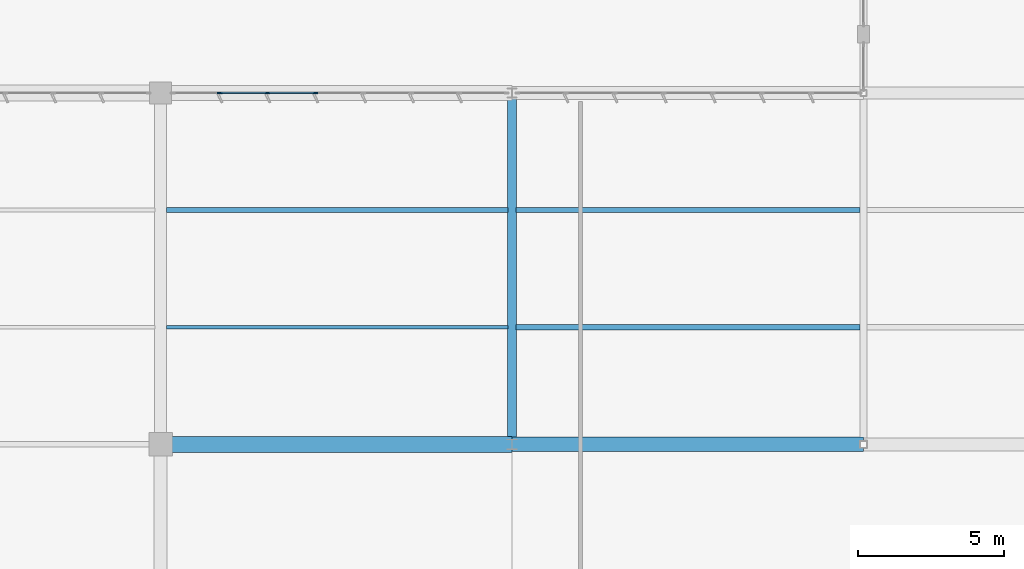
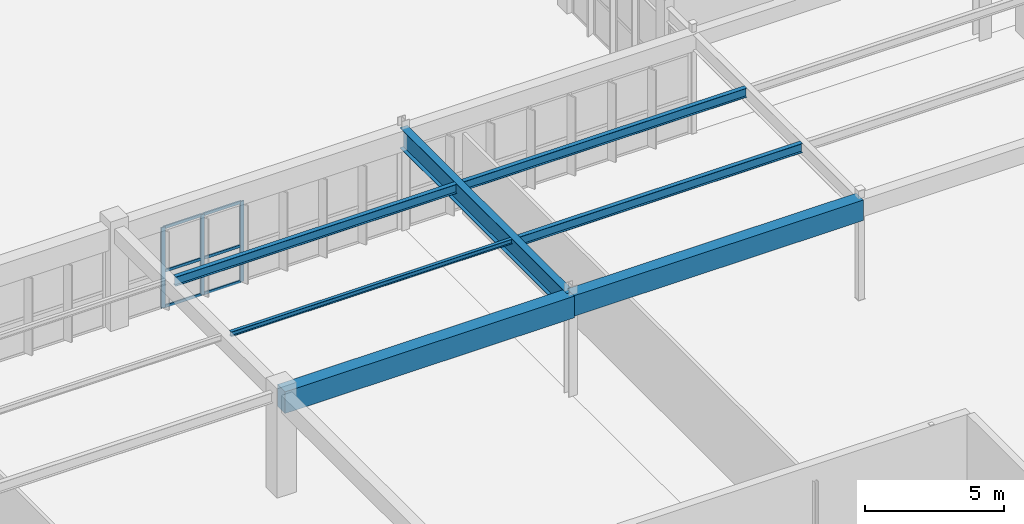
# One storey, part 77 of 199: 9 members, 7 beams, 1 element without a shape of its own.
"""IFC4 building model written with IfcOpenShell, lengths in metres."""

from ifc_helpers import new_model, si_unit, direction, frame, origin, origin_2d, place, context, subcontext, project, spatial, rectangle, i_section, extrude, material, layer, layer_set, material_profile, profile_set, type_object, element, aggregate, save


model = new_model("IFC4")

# Units and contexts
model_context = context("Model", 3, precision=1e-05, world=origin(), true_north=direction((0.0, 1.0)))
body_context = subcontext(model_context, "Body", "Model", "MODEL_VIEW")
ifc_project = project(units=[si_unit("LENGTHUNIT", "METRE"), si_unit("AREAUNIT", "SQUARE_METRE"), si_unit("VOLUMEUNIT", "CUBIC_METRE"), si_unit("PLANEANGLEUNIT", "RADIAN"), si_unit("MASSUNIT", "GRAM", prefix="KILO")], contexts=[model_context])

# Site, building, storey
site_placement = place(None, origin())
site = spatial("IfcSite", under=ifc_project, at=site_placement, CompositionType="ELEMENT")
building_placement = place(site_placement, origin())
building = spatial("IfcBuilding", under=site, at=building_placement, Name="Tarnwether General Hospital", CompositionType="ELEMENT")
storey_placement = place(building_placement, origin())
storey = spatial("IfcBuildingStorey", under=building, at=storey_placement, Name="L00", CompositionType="ELEMENT", Elevation=0.0)

# Beams
ifc_material_1 = material(Name="Steel Grade 350 (350 MPa)", Category="steel")
ifc_material_profile_1 = material_profile(ifc_material_1, i_section(OverallWidth=0.300048828125, OverallDepth=0.89990234375, WebThickness=0.011962890625, FlangeThickness=0.02001953125, at=origin_2d()), Name="900WB175")
ifc_profile_set_1 = profile_set([ifc_material_profile_1], Name="Steel Grade 350 (350 MPa)")
beam_type_1 = type_object("IfcBeamType", Name="BM-G01", PredefinedType="BEAM", material=ifc_profile_set_1)
beam_1_placement = place(storey_placement, frame((96.0, 33.60009765625, 3.9951171875), z_axis=(0.0, 1.0, 0.0), x_axis=(-1.0, 0.0, 0.0)))
element("IfcBeam", 1, at=beam_1_placement, inside=storey, type_object=beam_type_1, Name="Primary Girder BMG-L00-9600_3360-9600_4560-0737", PredefinedType="BEAM", context=body_context, shape_type="SweptSolid", body=[
    extrude(i_section(OverallWidth=0.300048828125, OverallDepth=0.89990234375, WebThickness=0.011962890625, FlangeThickness=0.02001953125, at=origin_2d()), origin(), (0.0, 0.0, 1.0), 12.0),
])
ifc_material_2 = material(Name="Concrete 40 MPa", Category="concrete")
ifc_material_profile_2 = material_profile(ifc_material_2, rectangle(XDim=0.550048828125, YDim=0.949951171875, at=origin_2d()), Name="RC-BM-550x950")
ifc_profile_set_2 = profile_set([ifc_material_profile_2], Name="Concrete 40 MPa")
beam_type_2 = type_object("IfcBeamType", Name="BM-G11", PredefinedType="BEAM", material=ifc_profile_set_2)
beam_2_placement = place(storey_placement, frame((84.0, 33.60009765625, 3.969970703125), z_axis=(1.0, 0.0, 0.0), x_axis=(0.0, 1.0, 0.0)))
element("IfcBeam", 2, at=beam_2_placement, inside=storey, type_object=beam_type_2, Name="Primary Girder BMG-L00-8400_3360-9600_3360-0722", PredefinedType="BEAM", context=body_context, shape_type="SweptSolid", body=[
    extrude(rectangle(XDim=0.550048828125, YDim=0.949951171875, at=origin_2d()), origin(), (0.0, 0.0, 1.0), 12.0),
])
ifc_material_3 = material(Name="Concrete 40 MPa", Category="concrete")
ifc_material_profile_3 = material_profile(ifc_material_3, rectangle(XDim=0.5, YDim=0.89990234375, at=origin_2d()), Name="RC-BM-500x900")
ifc_profile_set_3 = profile_set([ifc_material_profile_3], Name="Concrete 40 MPa")
beam_type_3 = type_object("IfcBeamType", Name="BM-G12", PredefinedType="BEAM", material=ifc_profile_set_3)
beam_3_placement = place(storey_placement, frame((96.0, 33.60009765625, 3.9951171875), z_axis=(1.0, 0.0, 0.0), x_axis=(0.0, 1.0, 0.0)))
element("IfcBeam", 3, at=beam_3_placement, inside=storey, type_object=beam_type_3, Name="Primary Girder BMG-L00-9600_3360-10800_3360-0736", PredefinedType="BEAM", context=body_context, shape_type="SweptSolid", body=[
    extrude(rectangle(XDim=0.5, YDim=0.89990234375, at=origin_2d()), origin(), (0.0, 0.0, 1.0), 12.0),
])
ifc_material_4 = material(Name="Steel Grade 350 (350 MPa)", Category="steel")
ifc_material_profile_4 = material_profile(ifc_material_4, i_section(OverallWidth=0.177978515625, OverallDepth=0.406005859375, WebThickness=0.0078125, FlangeThickness=0.0126953125, at=origin_2d()), Name="410UB59.7")
ifc_profile_set_4 = profile_set([ifc_material_profile_4], Name="Steel Grade 350 (350 MPa)")
beam_type_4 = type_object("IfcBeamType", Name="BM-J01", PredefinedType="JOIST", material=ifc_profile_set_4)
beam_4_placement = place(storey_placement, frame((84.194091796875, 41.60009765625, 4.241943359375), z_axis=(1.0, 0.0, 0.0), x_axis=(0.0, 1.0, 0.0)))
element("IfcBeam", 4, at=beam_4_placement, inside=storey, type_object=beam_type_4, Name="Composite Floor Joist BMG-L00-8419_4160-9586_4160-0976", PredefinedType="JOIST", context=body_context, shape_type="SweptSolid", body=[
    extrude(i_section(OverallWidth=0.177978515625, OverallDepth=0.406005859375, WebThickness=0.0078125, FlangeThickness=0.0126953125, at=origin_2d()), origin(), (0.0, 0.0, 1.0), 11.661865234375),
])
beam_5_placement = place(storey_placement, frame((96.14404296875, 37.60009765625, 4.241943359375), z_axis=(1.0, 0.0, 0.0), x_axis=(0.0, 1.0, 0.0)))
element("IfcBeam", 5, at=beam_5_placement, inside=storey, type_object=beam_type_4, Name="Composite Floor Joist BMG-L00-9614_3760-10788_3760-0983", PredefinedType="JOIST", context=body_context, shape_type="SweptSolid", body=[
    extrude(i_section(OverallWidth=0.177978515625, OverallDepth=0.406005859375, WebThickness=0.0078125, FlangeThickness=0.0126953125, at=origin_2d()), origin(), (0.0, 0.0, 1.0), 11.737060546875),
])
ifc_material_5 = material(Name="Steel Grade 350 (350 MPa)", Category="steel")
ifc_material_profile_5 = material_profile(ifc_material_5, i_section(OverallWidth=0.177978515625, OverallDepth=0.403076171875, WebThickness=0.007568359375, FlangeThickness=0.010986328125, at=origin_2d()), Name="410UB53.7")
ifc_profile_set_5 = profile_set([ifc_material_profile_5], Name="Steel Grade 350 (350 MPa)")
beam_type_5 = type_object("IfcBeamType", Name="BM-J02", PredefinedType="JOIST", material=ifc_profile_set_5)
beam_6_placement = place(storey_placement, frame((96.14404296875, 41.60009765625, 4.243408203125), z_axis=(1.0, 0.0, 0.0), x_axis=(0.0, 1.0, 0.0)))
element("IfcBeam", 6, at=beam_6_placement, inside=storey, type_object=beam_type_5, Name="Composite Floor Joist BMG-L00-9614_4160-10788_4160-0984", PredefinedType="JOIST", context=body_context, shape_type="SweptSolid", body=[
    extrude(i_section(OverallWidth=0.177978515625, OverallDepth=0.403076171875, WebThickness=0.007568359375, FlangeThickness=0.010986328125, at=origin_2d()), origin(), (0.0, 0.0, 1.0), 11.737060546875),
])
ifc_material_6 = material(Name="Steel Grade 350 (350 MPa)", Category="steel")
ifc_material_profile_6 = material_profile(ifc_material_6, i_section(OverallWidth=0.134033203125, OverallDepth=0.20703125, WebThickness=0.00634765625, FlangeThickness=0.009521484375, at=origin_2d()), Name="200UB29.8")
ifc_profile_set_6 = profile_set([ifc_material_profile_6], Name="Steel Grade 350 (350 MPa)")
beam_type_6 = type_object("IfcBeamType", Name="BM-J12", PredefinedType="JOIST", material=ifc_profile_set_6)
beam_7_placement = place(storey_placement, frame((84.194091796875, 37.60009765625, 4.341552734375), z_axis=(1.0, 0.0, 0.0), x_axis=(0.0, 1.0, 0.0)))
element("IfcBeam", 7, at=beam_7_placement, inside=storey, type_object=beam_type_6, Name="Composite Floor Joist BMG-L00-8419_3760-9586_3760-0975", PredefinedType="JOIST", context=body_context, shape_type="SweptSolid", body=[
    extrude(i_section(OverallWidth=0.134033203125, OverallDepth=0.20703125, WebThickness=0.00634765625, FlangeThickness=0.009521484375, at=origin_2d()), origin(), (0.0, 0.0, 1.0), 11.661865234375),
])

# Curtain wall, members
ifc_material_7 = material(Name="Anodised aluminium", Category="aluminium")
ifc_layer = layer(ifc_material_7, 0.159912109375)
ifc_layer_set = layer_set([ifc_layer], Name="Anodised aluminium")
curtain_wall_type = type_object("IfcCurtainWallType", Name="CW-24", PredefinedType="NOTDEFINED", material=ifc_layer_set)
curtain_wall_placement = place(storey_placement, origin())
curtain_wall = element("IfcCurtainWall", 8, at=curtain_wall_placement, inside=storey, type_object=curtain_wall_type, Name="Curtain Wall CWG-L00-958_456-0310", PredefinedType="NOTDEFINED")
ifc_material_8 = material(Name="Anodised aluminium", Category="aluminium")
ifc_material_profile_7 = material_profile(ifc_material_8, rectangle(XDim=0.06005859375, YDim=0.159912109375, at=origin_2d()), Name="ALU-MUL-60x160")
ifc_profile_set_7 = profile_set([ifc_material_profile_7], Name="Anodised aluminium")
member_type_1 = type_object("IfcMemberType", Name="CW-ML1", PredefinedType="MULLION", material=ifc_profile_set_7)
member_1_placement = place(storey_placement, frame((89.291748046875, 45.60009765625, 0.0), z_axis=(0.0, 0.0, 1.0), x_axis=(0.0, -1.0, 0.0)))
member_1 = element("IfcMember", 9, at=member_1_placement, type_object=member_type_1, Name="CW-24 mullion 5", PredefinedType="MULLION", context=body_context, shape_type="SweptSolid", body=[
    extrude(rectangle(XDim=0.06005859375, YDim=0.159912109375, at=origin_2d()), origin(), (0.0, 0.0, 1.0), 3.530029296875),
])
member_2_placement = place(storey_placement, frame((87.655517578125, 45.60009765625, 0.0), z_axis=(0.0, 0.0, 1.0), x_axis=(0.0, -1.0, 0.0)))
member_2 = element("IfcMember", 10, at=member_2_placement, type_object=member_type_1, Name="CW-24 mullion 6", PredefinedType="MULLION", context=body_context, shape_type="SweptSolid", body=[
    extrude(rectangle(XDim=0.06005859375, YDim=0.159912109375, at=origin_2d()), origin(), (0.0, 0.0, 1.0), 3.530029296875),
])
member_3_placement = place(storey_placement, frame((86.019287109375, 45.60009765625, 0.0), z_axis=(0.0, 0.0, 1.0), x_axis=(0.0, -1.0, 0.0)))
member_3 = element("IfcMember", 11, at=member_3_placement, type_object=member_type_1, Name="CW-24 mullion 7", PredefinedType="MULLION", context=body_context, shape_type="SweptSolid", body=[
    extrude(rectangle(XDim=0.06005859375, YDim=0.159912109375, at=origin_2d()), origin(), (0.0, 0.0, 1.0), 3.530029296875),
])
ifc_material_9 = material(Name="Anodised aluminium", Category="aluminium")
ifc_material_profile_8 = material_profile(ifc_material_9, rectangle(XDim=0.06005859375, YDim=0.1201171875, at=origin_2d()), Name="ALU-TRN-60x120")
ifc_profile_set_8 = profile_set([ifc_material_profile_8], Name="Anodised aluminium")
member_type_2 = type_object("IfcMemberType", Name="CW-TR1", PredefinedType="USERDEFINED", material=ifc_profile_set_8)
member_4_placement = place(storey_placement, frame((89.261962890625, 45.60009765625, 0.030029296875), z_axis=(-1.0, 0.0, 0.0), x_axis=(0.0, -1.0, 0.0)))
member_4 = element("IfcMember", 12, at=member_4_placement, type_object=member_type_2, Name="CW-24 transom 5.1", ObjectType="TRANSOM", PredefinedType="USERDEFINED", context=body_context, shape_type="SweptSolid", body=[
    extrude(rectangle(XDim=0.06005859375, YDim=0.1201171875, at=origin_2d()), origin(), (0.0, 0.0, 1.0), 1.576416015625),
])
member_5_placement = place(storey_placement, frame((89.261962890625, 45.60009765625, 1.58837890625), z_axis=(-1.0, 0.0, 0.0), x_axis=(0.0, -1.0, 0.0)))
member_5 = element("IfcMember", 13, at=member_5_placement, type_object=member_type_2, Name="CW-24 transom 5.2", ObjectType="TRANSOM", PredefinedType="USERDEFINED", context=body_context, shape_type="SweptSolid", body=[
    extrude(rectangle(XDim=0.06005859375, YDim=0.1201171875, at=origin_2d()), origin(), (0.0, 0.0, 1.0), 1.576416015625),
])
member_6_placement = place(storey_placement, frame((89.261962890625, 45.60009765625, 3.5), z_axis=(-1.0, 0.0, 0.0), x_axis=(0.0, -1.0, 0.0)))
member_6 = element("IfcMember", 14, at=member_6_placement, type_object=member_type_2, Name="CW-24 transom 5.3", ObjectType="TRANSOM", PredefinedType="USERDEFINED", context=body_context, shape_type="SweptSolid", body=[
    extrude(rectangle(XDim=0.06005859375, YDim=0.1201171875, at=origin_2d()), origin(), (0.0, 0.0, 1.0), 1.576416015625),
])
member_7_placement = place(storey_placement, frame((87.62548828125, 45.60009765625, 0.030029296875), z_axis=(-1.0, 0.0, 0.0), x_axis=(0.0, -1.0, 0.0)))
member_7 = element("IfcMember", 15, at=member_7_placement, type_object=member_type_2, Name="CW-24 transom 6.1", ObjectType="TRANSOM", PredefinedType="USERDEFINED", context=body_context, shape_type="SweptSolid", body=[
    extrude(rectangle(XDim=0.06005859375, YDim=0.1201171875, at=origin_2d()), origin(), (0.0, 0.0, 1.0), 1.576171875),
])
member_8_placement = place(storey_placement, frame((87.62548828125, 45.60009765625, 1.58837890625), z_axis=(-1.0, 0.0, 0.0), x_axis=(0.0, -1.0, 0.0)))
member_8 = element("IfcMember", 16, at=member_8_placement, type_object=member_type_2, Name="CW-24 transom 6.2", ObjectType="TRANSOM", PredefinedType="USERDEFINED", context=body_context, shape_type="SweptSolid", body=[
    extrude(rectangle(XDim=0.06005859375, YDim=0.1201171875, at=origin_2d()), origin(), (0.0, 0.0, 1.0), 1.576171875),
])
member_9_placement = place(storey_placement, frame((87.62548828125, 45.60009765625, 3.5), z_axis=(-1.0, 0.0, 0.0), x_axis=(0.0, -1.0, 0.0)))
member_9 = element("IfcMember", 17, at=member_9_placement, type_object=member_type_2, Name="CW-24 transom 6.3", ObjectType="TRANSOM", PredefinedType="USERDEFINED", context=body_context, shape_type="SweptSolid", body=[
    extrude(rectangle(XDim=0.06005859375, YDim=0.1201171875, at=origin_2d()), origin(), (0.0, 0.0, 1.0), 1.576171875),
])
aggregate(curtain_wall, [member_1, member_2, member_3, member_4, member_5, member_6, member_7, member_8, member_9])

save(model, "model.ifc")
